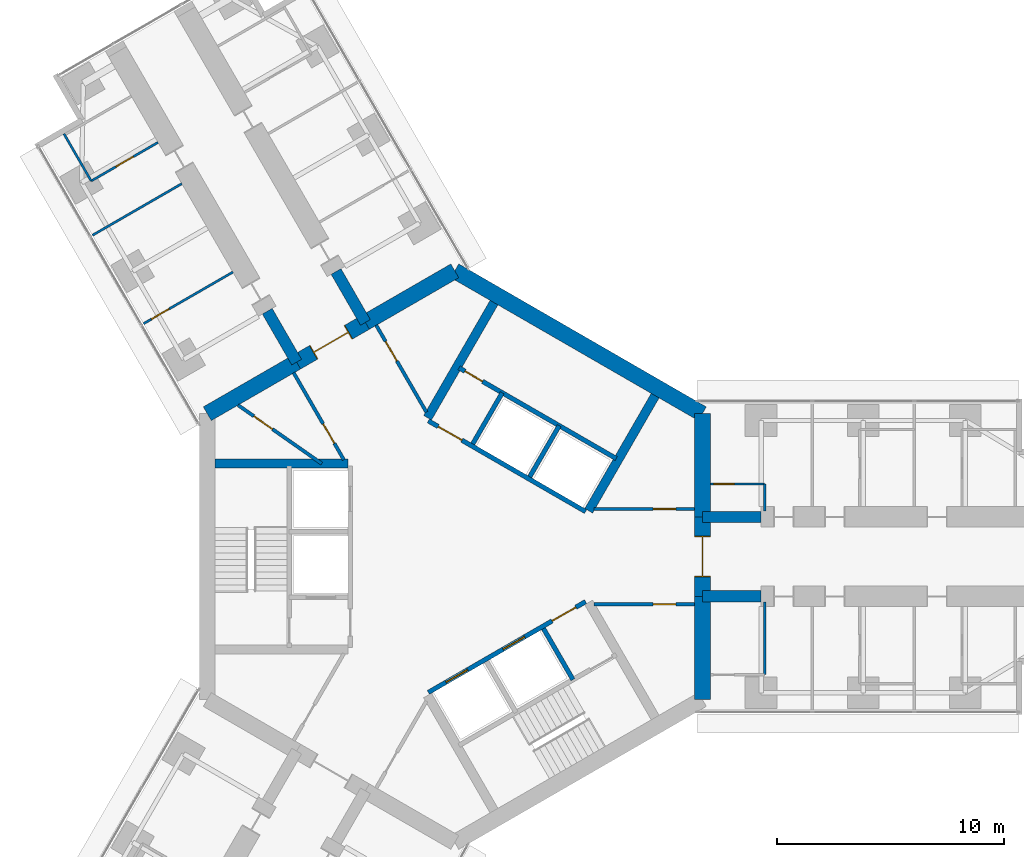
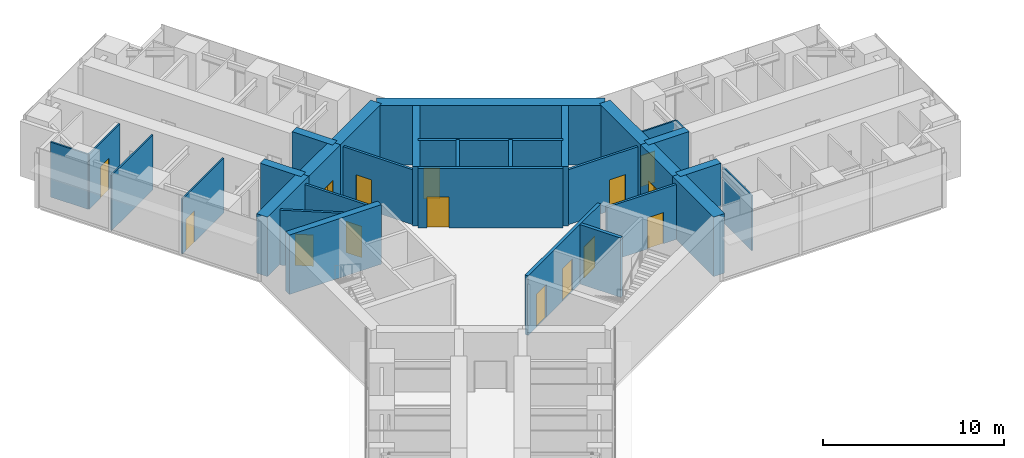
# One storey, part 18 of 25: 32 walls, 15 doors, 15 openings.
"""IFC4 building model written with IfcOpenShell, lengths in metres."""

from ifc_helpers import new_model, si_unit, direction, frame, frame_2d, origin, place, context, subcontext, project, spatial, rectangle, extrude, material, layer, layer_set, type_object, element, fill, save


model = new_model("IFC4")

# Units and contexts
model_context = context("Model", 3, precision=1e-05, world=origin(), true_north=direction((0.0, 1.0)))
body_context = subcontext(model_context, "Body", "Model", "MODEL_VIEW")
ifc_project = project(units=[si_unit("LENGTHUNIT", "METRE"), si_unit("AREAUNIT", "SQUARE_METRE"), si_unit("VOLUMEUNIT", "CUBIC_METRE"), si_unit("PLANEANGLEUNIT", "RADIAN"), si_unit("MASSUNIT", "GRAM", prefix="KILO")], contexts=[model_context])

# Site, building, storey
site_placement = place(None, origin())
site = spatial("IfcSite", under=ifc_project, at=site_placement, CompositionType="ELEMENT")
building_placement = place(site_placement, origin())
building = spatial("IfcBuilding", under=site, at=building_placement, Name="Upepo Twin Towers", CompositionType="ELEMENT")
storey_placement = place(building_placement, frame((0.0, 0.0, 88.5)))
storey = spatial("IfcBuildingStorey", under=building, at=storey_placement, Name="L21", CompositionType="ELEMENT", Elevation=88.5)

# Walls
ifc_material_1 = material(Name="Concrete C60/75", Category="concrete")
ifc_layer_1 = layer(ifc_material_1, 0.5)
ifc_layer_set_1 = layer_set([ifc_layer_1], Name="Concrete C60/75")
wall_type_1 = type_object("IfcWallType", Name="Buttress wall 500 RC", PredefinedType="SHEAR", material=ifc_layer_set_1)
for number, where, z_axis, x_axis, name in (
    (1, (10.908447265625, 1.75, 0.0), (0.0, 0.0, 1.0), (1.0, 0.0, 0.0), "T1 wing A buttress wall L"),
    (2, (10.908447265625, -1.75, 0.0), (0.0, 0.0, 1.0), (1.0, 0.0, 0.0), "T1 wing A buttress wall R"),
):
    element("IfcWall", number, at=place(storey_placement, frame(where, z_axis=z_axis, x_axis=x_axis)), inside=storey, type_object=wall_type_1, Name=name, PredefinedType="SHEAR", context=body_context, shape_type="SweptSolid", body=[
        extrude(rectangle(XDim=2.591552734375, YDim=0.5, at=frame_2d((1.2958984375, 0.0))), origin(), (0.0, 0.0, 1.0), 4.0),
    ])
for number, where, z_axis, x_axis, name in (
    (3, (-6.9697265625, 8.57177734375, 0.0), (0.0, 0.0, 1.0), (-0.499988811324, 0.866031863473, 0.0), "T1 wing B buttress wall L"),
    (4, (-3.938720703125, 10.32177734375, 0.0), (0.0, 0.0, 1.0), (-0.499918158782, 0.866072649678, 0.0), "T1 wing B buttress wall R"),
):
    element("IfcWall", number, at=place(storey_placement, frame(where, z_axis=z_axis, x_axis=x_axis)), inside=storey, type_object=wall_type_1, Name=name, PredefinedType="SHEAR", context=body_context, shape_type="SweptSolid", body=[
        extrude(rectangle(XDim=2.591796875, YDim=0.5, at=frame_2d((1.2958984375, 0.0))), origin(), (0.0, 0.0, 1.0), 4.0),
    ])
ifc_material_2 = material(Name="Concrete C60/75", Category="concrete")
ifc_layer_2 = layer(ifc_material_2, 0.699951171875)
ifc_layer_set_2 = layer_set([ifc_layer_2], Name="Concrete C60/75")
wall_type_2 = type_object("IfcWallType", Name="Core wall 700 RC", PredefinedType="SHEAR", material=ifc_layer_set_2)
wall_1_placement = place(storey_placement, frame((10.908447265625, -6.2978515625, 0.0), z_axis=(0.0, 0.0, 1.0), x_axis=(0.0, 1.0, 0.0)))
element("IfcWall", 5, at=wall_1_placement, inside=storey, type_object=wall_type_2, Name="T1 core wall 000 R", PredefinedType="SHEAR", context=body_context, shape_type="SweptSolid", body=[
    extrude(rectangle(XDim=4.5478515625, YDim=0.699951171875, at=frame_2d((2.27392578125, 0.0))), origin(), (0.0, 0.0, 1.0), 4.0),
])

# Wall, opening, door
wall_2_placement = place(storey_placement, frame((10.908447265625, -1.75, 0.0), z_axis=(0.0, 0.0, 1.0), x_axis=(0.0, 1.0, 0.0)))
wall_2 = element("IfcWall", 6, at=wall_2_placement, inside=storey, type_object=wall_type_2, Name="T1 core wall 000", PredefinedType="SHEAR", context=body_context, shape_type="SweptSolid", body=[
    extrude(rectangle(XDim=3.5, YDim=0.699951171875, at=frame_2d((1.75, 0.0))), origin(), (0.0, 0.0, 1.0), 4.0),
])
opening_1_placement = place(wall_2_placement, frame((0.85009765625, 0.0, 0.0)))
opening_1 = element("IfcOpeningElement", 7, at=opening_1_placement, cuts=wall_2, Name="Opening D2", PredefinedType="OPENING", context=body_context, shape_type="SweptSolid", body=[
    extrude(rectangle(XDim=1.800048828125, YDim=2.10009765625, at=frame_2d((0.89990234375, 1.050048828125))), frame((0.0, 0.35986328125, 0.0), z_axis=(0.0, -1.0, 0.0), x_axis=(1.0, 0.0, 0.0)), (0.0, 0.0, 1.0), 0.719970703125),
])
ifc_material_3 = material(Name="Timber doorset", Category="wood")
door_type_1 = type_object("IfcDoorType", Name="Corridor double door 1800 FD60", OperationType="DOUBLE_DOOR_DOUBLE_SWING", PredefinedType="DOOR", material=ifc_material_3)
door_1_placement = place(opening_1_placement, origin())
door_1 = element("IfcDoor", 8, at=door_1_placement, inside=storey, type_object=door_type_1, Name="T1 L21 wing A corridor door", OperationType="DOUBLE_DOOR_DOUBLE_SWING", OverallHeight=2.10009765625, OverallWidth=1.800048828125, PredefinedType="DOOR", context=body_context, shape_type="SweptSolid", body=[
    extrude(rectangle(XDim=1.720048828125, YDim=2.06009765625, at=frame_2d((0.89990234375, 1.030029296875))), frame((0.0, 0.02490234375, 0.0), z_axis=(0.0, -1.0, 0.0), x_axis=(1.0, 0.0, 0.0)), (0.0, 0.0, 1.0), 0.050048828125),
    extrude(rectangle(XDim=0.04, YDim=2.10009765625, at=frame_2d((0.02001953125, 1.050048828125))), frame((0.0, 0.349609375, 0.0), z_axis=(0.0, -1.0, 0.0), x_axis=(1.0, 0.0, 0.0)), (0.0, 0.0, 1.0), 0.699462890625),
    extrude(rectangle(XDim=0.04, YDim=2.10009765625, at=frame_2d((1.780029296875, 1.050048828125))), frame((0.0, 0.349609375, 0.0), z_axis=(0.0, -1.0, 0.0), x_axis=(1.0, 0.0, 0.0)), (0.0, 0.0, 1.0), 0.699462890625),
    extrude(rectangle(XDim=1.720048828125, YDim=0.04, at=frame_2d((0.89990234375, 2.080078125))), frame((0.0, 0.349609375, 0.0), z_axis=(0.0, -1.0, 0.0), x_axis=(1.0, 0.0, 0.0)), (0.0, 0.0, 1.0), 0.699462890625),
])
fill(opening_1, door_1)

# Walls
wall_3_placement = place(storey_placement, frame((10.908447265625, 1.75, 0.0), z_axis=(0.0, 0.0, 1.0), x_axis=(0.0, 1.0, 0.0)))
element("IfcWall", 9, at=wall_3_placement, inside=storey, type_object=wall_type_2, Name="T1 core wall 000 L", PredefinedType="SHEAR", context=body_context, shape_type="SweptSolid", body=[
    extrude(rectangle(XDim=4.5478515625, YDim=0.699951171875, at=frame_2d((2.27392578125, 0.0))), origin(), (0.0, 0.0, 1.0), 4.0),
])
wall_4_placement = place(storey_placement, frame((10.908447265625, 6.2978515625, 0.0), z_axis=(0.0, 0.0, 1.0), x_axis=(-0.866021940709, 0.500005998175, 0.0)))
element("IfcWall", 10, at=wall_4_placement, inside=storey, type_object=wall_type_2, Name="T1 core wall 060", PredefinedType="SHEAR", context=body_context, shape_type="SweptSolid", body=[
    extrude(rectangle(XDim=12.595947265625, YDim=0.699951171875, at=frame_2d((6.2978515625, 0.0))), origin(), (0.0, 0.0, 1.0), 4.0),
])
wall_5_placement = place(storey_placement, frame((0.0, 12.595947265625, 0.0), z_axis=(0.0, 0.0, 1.0), x_axis=(-0.866011268655, -0.500024481964, 0.0)))
element("IfcWall", 11, at=wall_5_placement, inside=storey, type_object=wall_type_2, Name="T1 core wall 120 R", PredefinedType="SHEAR", context=body_context, shape_type="SweptSolid", body=[
    extrude(rectangle(XDim=4.548095703125, YDim=0.699951171875, at=frame_2d((2.27392578125, 0.0))), origin(), (0.0, 0.0, 1.0), 4.0),
])

# Wall, opening, door
wall_6_placement = place(storey_placement, frame((-3.938720703125, 10.32177734375, 0.0), z_axis=(0.0, 0.0, 1.0), x_axis=(-0.866019471182, -0.500010275428, 0.0)))
wall_6 = element("IfcWall", 12, at=wall_6_placement, inside=storey, type_object=wall_type_2, Name="T1 core wall 120", PredefinedType="SHEAR", context=body_context, shape_type="SweptSolid", body=[
    extrude(rectangle(XDim=3.5, YDim=0.699951171875, at=frame_2d((1.75, 0.0))), origin(), (0.0, 0.0, 1.0), 4.0),
])
opening_2_placement = place(wall_6_placement, frame((0.85009765625, 0.0, 0.0)))
opening_2 = element("IfcOpeningElement", 13, at=opening_2_placement, cuts=wall_6, Name="Opening D2", PredefinedType="OPENING", context=body_context, shape_type="SweptSolid", body=[
    extrude(rectangle(XDim=1.800048828125, YDim=2.10009765625, at=frame_2d((0.89990234375, 1.050048828125))), frame((0.0, 0.35986328125, 0.0), z_axis=(0.0, -1.0, 0.0), x_axis=(1.0, 0.0, 0.0)), (0.0, 0.0, 1.0), 0.719970703125),
])
door_2_placement = place(opening_2_placement, origin())
door_2 = element("IfcDoor", 14, at=door_2_placement, inside=storey, type_object=door_type_1, Name="T1 L21 wing B corridor door", OperationType="DOUBLE_DOOR_DOUBLE_SWING", OverallHeight=2.10009765625, OverallWidth=1.800048828125, PredefinedType="DOOR", context=body_context, shape_type="SweptSolid", body=[
    extrude(rectangle(XDim=1.720048828125, YDim=2.06009765625, at=frame_2d((0.89990234375, 1.030029296875))), frame((0.0, 0.02490234375, 0.0), z_axis=(0.0, -1.0, 0.0), x_axis=(1.0, 0.0, 0.0)), (0.0, 0.0, 1.0), 0.050048828125),
    extrude(rectangle(XDim=0.04, YDim=2.10009765625, at=frame_2d((0.02001953125, 1.050048828125))), frame((0.0, 0.349609375, 0.0), z_axis=(0.0, -1.0, 0.0), x_axis=(1.0, 0.0, 0.0)), (0.0, 0.0, 1.0), 0.699462890625),
    extrude(rectangle(XDim=0.04, YDim=2.10009765625, at=frame_2d((1.780029296875, 1.050048828125))), frame((0.0, 0.349609375, 0.0), z_axis=(0.0, -1.0, 0.0), x_axis=(1.0, 0.0, 0.0)), (0.0, 0.0, 1.0), 0.699462890625),
    extrude(rectangle(XDim=1.720048828125, YDim=0.04, at=frame_2d((0.89990234375, 2.080078125))), frame((0.0, 0.349609375, 0.0), z_axis=(0.0, -1.0, 0.0), x_axis=(1.0, 0.0, 0.0)), (0.0, 0.0, 1.0), 0.699462890625),
])
fill(opening_2, door_2)

# Wall
wall_7_placement = place(storey_placement, frame((-6.9697265625, 8.57177734375, 0.0), z_axis=(0.0, 0.0, 1.0), x_axis=(-0.866034513004, -0.499984222037, 0.0)))
element("IfcWall", 15, at=wall_7_placement, inside=storey, type_object=wall_type_2, Name="T1 core wall 120 L", PredefinedType="SHEAR", context=body_context, shape_type="SweptSolid", body=[
    extrude(rectangle(XDim=4.548095703125, YDim=0.699951171875, at=frame_2d((2.27392578125, 0.0))), origin(), (0.0, 0.0, 1.0), 4.0),
])

# Wall, opening, door
ifc_material_4 = material(Name="Gypsum board on steel studs", Category="steel")
ifc_layer_3 = layer(ifc_material_4, 0.10009765625)
ifc_layer_set_3 = layer_set([ifc_layer_3], Name="Office partition 100 stud")
wall_type_3 = type_object("IfcWallType", Name="Office partition 100 stud", PredefinedType="PARTITIONING", material=ifc_layer_set_3)
wall_8_placement = place(storey_placement, frame((11.258056640625, 3.199951171875, 0.0), z_axis=(0.0, 0.0, 1.0), x_axis=(1.0, 0.0, 0.0)))
wall_8 = element("IfcWall", 16, at=wall_8_placement, inside=storey, type_object=wall_type_3, Name="T1 WC bay partition AL at 11.26", PredefinedType="PARTITIONING", context=body_context, shape_type="SweptSolid", body=[
    extrude(rectangle(XDim=2.39990234375, YDim=0.10009765625, at=frame_2d((1.199951171875, 0.0))), origin(), (0.0, 0.0, 1.0), 3.699951171875),
])
opening_3_placement = place(wall_8_placement, frame((0.14990234375, 0.0, 0.0)))
opening_3 = element("IfcOpeningElement", 17, at=opening_3_placement, cuts=wall_8, Name="Opening D14", PredefinedType="OPENING", context=body_context, shape_type="SweptSolid", body=[
    extrude(rectangle(XDim=0.89990234375, YDim=2.10009765625, at=frame_2d((0.449951171875, 1.050048828125))), frame((0.0, 0.06005859375, 0.0), z_axis=(0.0, -1.0, 0.0), x_axis=(1.0, 0.0, 0.0)), (0.0, 0.0, 1.0), 0.1201171875),
])
ifc_material_5 = material(Name="Timber doorset", Category="wood")
door_type_2 = type_object("IfcDoorType", Name="Office door 900 FD30", OperationType="SINGLE_SWING_LEFT", PredefinedType="DOOR", material=ifc_material_5)
door_3_placement = place(opening_3_placement, origin())
door_3 = element("IfcDoor", 18, at=door_3_placement, inside=storey, type_object=door_type_2, Name="T1 L21 WC bay inner room door", OperationType="SINGLE_SWING_LEFT", OverallHeight=2.10009765625, OverallWidth=0.89990234375, PredefinedType="DOOR", context=body_context, shape_type="SweptSolid", body=[
    extrude(rectangle(XDim=0.89990234375, YDim=2.10009765625, at=frame_2d((0.449951171875, 1.050048828125))), frame((0.0, 0.02490234375, 0.0), z_axis=(0.0, -1.0, 0.0), x_axis=(1.0, 0.0, 0.0)), (0.0, 0.0, 1.0), 0.050048828125),
])
fill(opening_3, door_3)

# Walls
wall_9_placement = place(storey_placement, frame((13.657958984375, 2.0, 0.0), z_axis=(0.0, 0.0, 1.0), x_axis=(0.0, 1.0, 0.0)))
element("IfcWall", 19, at=wall_9_placement, inside=storey, type_object=wall_type_3, Name="T1 WC bay partition AL end at 13.66", PredefinedType="PARTITIONING", context=body_context, shape_type="SweptSolid", body=[
    extrude(rectangle(XDim=1.199951171875, YDim=0.10009765625, at=frame_2d((0.60009765625, 0.0))), origin(), (0.0, 0.0, 1.0), 3.699951171875),
])
wall_10_placement = place(storey_placement, frame((13.657958984375, -2.0, 0.0), z_axis=(0.0, 0.0, 1.0), x_axis=(0.0, -1.0, 0.0)))
element("IfcWall", 20, at=wall_10_placement, inside=storey, type_object=wall_type_3, Name="T1 WC bay partition AR end at 13.66", PredefinedType="PARTITIONING", context=body_context, shape_type="SweptSolid", body=[
    extrude(rectangle(XDim=3.199951171875, YDim=0.10009765625, at=frame_2d((1.60009765625, 0.0))), origin(), (0.0, 0.0, 1.0), 3.699951171875),
])

# Wall, opening, door
wall_11_placement = place(storey_placement, frame((-9.7802734375, 12.539794921875, 0.0), z_axis=(0.0, 0.0, 1.0), x_axis=(-0.866035472144, -0.499982560684, 0.0)))
wall_11 = element("IfcWall", 21, at=wall_11_placement, inside=storey, type_object=wall_type_3, Name="T1 partition BL at 15.75", PredefinedType="PARTITIONING", context=body_context, shape_type="SweptSolid", body=[
    extrude(rectangle(XDim=4.550048828125, YDim=0.10009765625, at=frame_2d((2.27490234375, 0.0))), origin(), (0.0, 0.0, 1.0), 3.699951171875),
])
opening_4_placement = place(wall_11_placement, frame((3.25, 0.0, 0.0)))
opening_4 = element("IfcOpeningElement", 22, at=opening_4_placement, cuts=wall_11, Name="Opening D14", PredefinedType="OPENING", context=body_context, shape_type="SweptSolid", body=[
    extrude(rectangle(XDim=0.89990234375, YDim=2.10009765625, at=frame_2d((0.449951171875, 1.050048828125))), frame((0.0, 0.06005859375, 0.0), z_axis=(0.0, -1.0, 0.0), x_axis=(1.0, 0.0, 0.0)), (0.0, 0.0, 1.0), 0.1201171875),
])
door_4_placement = place(opening_4_placement, origin())
door_4 = element("IfcDoor", 23, at=door_4_placement, inside=storey, type_object=door_type_2, Name="T1 L21 connecting door", OperationType="SINGLE_SWING_RIGHT", OverallHeight=2.10009765625, OverallWidth=0.89990234375, PredefinedType="DOOR", context=body_context, shape_type="SweptSolid", body=[
    extrude(rectangle(XDim=0.89990234375, YDim=2.10009765625, at=frame_2d((0.449951171875, 1.050048828125))), frame((0.0, 0.02490234375, 0.0), z_axis=(0.0, -1.0, 0.0), x_axis=(1.0, 0.0, 0.0)), (0.0, 0.0, 1.0), 0.050048828125),
])
fill(opening_4, door_4)

# Walls
wall_12_placement = place(storey_placement, frame((-12.0302734375, 16.43701171875, 0.0), z_axis=(0.0, 0.0, 1.0), x_axis=(-0.866035472144, -0.499982560684, 0.0)))
element("IfcWall", 24, at=wall_12_placement, inside=storey, type_object=wall_type_3, Name="T1 partition BL at 20.25", PredefinedType="PARTITIONING", context=body_context, shape_type="SweptSolid", body=[
    extrude(rectangle(XDim=4.550048828125, YDim=0.10009765625, at=frame_2d((2.27490234375, 0.0))), origin(), (0.0, 0.0, 1.0), 3.699951171875),
])
wall_13_placement = place(storey_placement, frame((-16.024658203125, 16.5556640625, 0.0), z_axis=(0.0, 0.0, 1.0), x_axis=(-0.500077600433, 0.865980596518, 0.0)))
element("IfcWall", 25, at=wall_13_placement, inside=storey, type_object=wall_type_3, Name="T1 inner room partition BL at 22.35", PredefinedType="PARTITIONING", context=body_context, shape_type="SweptSolid", body=[
    extrude(rectangle(XDim=2.39990234375, YDim=0.10009765625, at=frame_2d((1.199951171875, 0.0))), origin(), (0.0, 0.0, 1.0), 3.699951171875),
])

# Wall, opening, door
wall_14_placement = place(storey_placement, frame((-13.080322265625, 18.255615234375, 0.0), z_axis=(0.0, 0.0, 1.0), x_axis=(-0.866020560687, -0.500008388397, 0.0)))
wall_14 = element("IfcWall", 26, at=wall_14_placement, inside=storey, type_object=wall_type_3, Name="T1 inner room partition BL end at 22.35", PredefinedType="PARTITIONING", context=body_context, shape_type="SweptSolid", body=[
    extrude(rectangle(XDim=3.39990234375, YDim=0.10009765625, at=frame_2d((1.699951171875, 0.0))), origin(), (0.0, 0.0, 1.0), 3.699951171875),
])
opening_5_placement = place(wall_14_placement, frame((1.25, 0.0, 0.0)))
opening_5 = element("IfcOpeningElement", 27, at=opening_5_placement, cuts=wall_14, Name="Opening D14", PredefinedType="OPENING", context=body_context, shape_type="SweptSolid", body=[
    extrude(rectangle(XDim=0.89990234375, YDim=2.10009765625, at=frame_2d((0.449951171875, 1.050048828125))), frame((0.0, 0.06005859375, 0.0), z_axis=(0.0, -1.0, 0.0), x_axis=(1.0, 0.0, 0.0)), (0.0, 0.0, 1.0), 0.1201171875),
])
door_5_placement = place(opening_5_placement, origin())
door_5 = element("IfcDoor", 28, at=door_5_placement, inside=storey, type_object=door_type_2, Name="T1 L21 inner room door", OperationType="SINGLE_SWING_LEFT", OverallHeight=2.10009765625, OverallWidth=0.89990234375, PredefinedType="DOOR", context=body_context, shape_type="SweptSolid", body=[
    extrude(rectangle(XDim=0.89990234375, YDim=2.10009765625, at=frame_2d((0.449951171875, 1.050048828125))), frame((0.0, 0.02490234375, 0.0), z_axis=(0.0, -1.0, 0.0), x_axis=(1.0, 0.0, 0.0)), (0.0, 0.0, 1.0), 0.050048828125),
])
fill(opening_5, door_5)

ifc_material_6 = material(Name="Concrete C40/50", Category="concrete")
ifc_layer_4 = layer(ifc_material_6, 0.199951171875)
ifc_layer_set_4 = layer_set([ifc_layer_4], Name="Concrete C40/50")
wall_type_4 = type_object("IfcWallType", Name="Shaft wall 200 RC", PredefinedType="SHEAR", material=ifc_layer_set_4)
wall_15_placement = place(storey_placement, frame((5.76416015625, 1.983642578125, 0.0), z_axis=(0.0, 0.0, 1.0), x_axis=(-0.866026010844, 0.49999894854, 0.0)))
wall_15 = element("IfcWall", 29, at=wall_15_placement, inside=storey, type_object=wall_type_4, Name="T1 core W60 front wall", PredefinedType="SHEAR", context=body_context, shape_type="SweptSolid", body=[
    extrude(rectangle(XDim=8.0, YDim=0.199951171875, at=frame_2d((4.0, 0.0))), origin(), (0.0, 0.0, 1.0), 4.0),
])
opening_6_placement = place(wall_15_placement, frame((6.300048828125, 0.0, 0.0)))
opening_6 = element("IfcOpeningElement", 30, at=opening_6_placement, cuts=wall_15, Name="Opening D4", PredefinedType="OPENING", context=body_context, shape_type="SweptSolid", body=[
    extrude(rectangle(XDim=1.199951171875, YDim=2.10009765625, at=frame_2d((0.60009765625, 1.050048828125))), frame((0.0, 0.10986328125, 0.0), z_axis=(0.0, -1.0, 0.0), x_axis=(1.0, 0.0, 0.0)), (0.0, 0.0, 1.0), 0.219970703125),
])
ifc_material_7 = material(Name="Timber doorset", Category="wood")
door_type_3 = type_object("IfcDoorType", Name="Lobby door 1200 FD60", OperationType="SINGLE_SWING_LEFT", PredefinedType="DOOR", material=ifc_material_7)
door_6_placement = place(opening_6_placement, origin())
door_6 = element("IfcDoor", 31, at=door_6_placement, inside=storey, type_object=door_type_3, Name="T1 L21 W60 lobby door", OperationType="SINGLE_SWING_RIGHT", OverallHeight=2.10009765625, OverallWidth=1.199951171875, PredefinedType="DOOR", context=body_context, shape_type="SweptSolid", body=[
    extrude(rectangle(XDim=1.199951171875, YDim=2.10009765625, at=frame_2d((0.60009765625, 1.050048828125))), frame((0.0, 0.02490234375, 0.0), z_axis=(0.0, -1.0, 0.0), x_axis=(1.0, 0.0, 0.0)), (0.0, 0.0, 1.0), 0.050048828125),
])
fill(opening_6, door_6)

# Walls
for number, where, z_axis, x_axis, name in (
    (32, (3.302734375, 3.520263671875, 0.0), (0.0, 0.0, 1.0), (0.499936506574, 0.866062058628, 0.0), "T1 core W60 shaft divider"),
    (33, (0.791259765625, 4.97021484375, 0.0), (0.0, 0.0, 1.0), (0.499936506574, 0.866062058628, 0.0), "T1 core W60 lobby wall"),
):
    element("IfcWall", number, at=place(storey_placement, frame(where, z_axis=z_axis, x_axis=x_axis)), inside=storey, type_object=wall_type_4, Name=name, PredefinedType="SHEAR", context=body_context, shape_type="SweptSolid", body=[
        extrude(rectangle(XDim=2.599853515625, YDim=0.199951171875, at=frame_2d((1.2998046875, 0.0))), origin(), (0.0, 0.0, 1.0), 4.0),
    ])

# Wall, opening, door
wall_16_placement = place(storey_placement, frame((7.114013671875, 4.322021484375, 0.0), z_axis=(0.0, 0.0, 1.0), x_axis=(-0.866026010844, 0.49999894854, 0.0)))
wall_16 = element("IfcWall", 34, at=wall_16_placement, inside=storey, type_object=wall_type_4, Name="T1 core W60 stair wall", PredefinedType="SHEAR", context=body_context, shape_type="SweptSolid", body=[
    extrude(rectangle(XDim=8.0, YDim=0.199951171875, at=frame_2d((4.0, 0.0))), origin(), (0.0, 0.0, 1.0), 4.0),
])
opening_7_placement = place(wall_16_placement, frame((6.800048828125, 0.0, 0.0)))
opening_7 = element("IfcOpeningElement", 35, at=opening_7_placement, cuts=wall_16, Name="Opening D9", PredefinedType="OPENING", context=body_context, shape_type="SweptSolid", body=[
    extrude(rectangle(XDim=0.89990234375, YDim=2.10009765625, at=frame_2d((0.449951171875, 1.050048828125))), frame((0.0, 0.10986328125, 0.0), z_axis=(0.0, -1.0, 0.0), x_axis=(1.0, 0.0, 0.0)), (0.0, 0.0, 1.0), 0.219970703125),
])
ifc_material_8 = material(Name="Timber doorset", Category="wood")
door_type_4 = type_object("IfcDoorType", Name="Riser door 900 FD60", OperationType="SINGLE_SWING_LEFT", PredefinedType="DOOR", material=ifc_material_8)
door_7_placement = place(opening_7_placement, origin())
door_7 = element("IfcDoor", 36, at=door_7_placement, inside=storey, type_object=door_type_4, Name="T1 L21 riser door", OperationType="SINGLE_SWING_RIGHT", OverallHeight=2.10009765625, OverallWidth=0.89990234375, PredefinedType="DOOR", context=body_context, shape_type="SweptSolid", body=[
    extrude(rectangle(XDim=0.89990234375, YDim=2.10009765625, at=frame_2d((0.449951171875, 1.050048828125))), frame((0.0, 0.02490234375, 0.0), z_axis=(0.0, -1.0, 0.0), x_axis=(1.0, 0.0, 0.0)), (0.0, 0.0, 1.0), 0.050048828125),
])
fill(opening_7, door_7)

# Wall, openings, doors
wall_17_placement = place(storey_placement, frame((-1.1640625, -5.983642578125, 0.0), z_axis=(0.0, 0.0, 1.0), x_axis=(0.866026010844, 0.49999894854, 0.0)))
wall_17 = element("IfcWall", 37, at=wall_17_placement, inside=storey, type_object=wall_type_4, Name="T1 core W300 front wall", PredefinedType="SHEAR", context=body_context, shape_type="SweptSolid", body=[
    extrude(rectangle(XDim=8.0, YDim=0.199951171875, at=frame_2d((4.0, 0.0))), origin(), (0.0, 0.0, 1.0), 4.0),
])
opening_8_placement = place(wall_17_placement, frame((6.300048828125, 0.0, 0.0)))
opening_8 = element("IfcOpeningElement", 38, at=opening_8_placement, cuts=wall_17, Name="Opening D4", PredefinedType="OPENING", context=body_context, shape_type="SweptSolid", body=[
    extrude(rectangle(XDim=1.199951171875, YDim=2.10009765625, at=frame_2d((0.60009765625, 1.050048828125))), frame((0.0, 0.10986328125, 0.0), z_axis=(0.0, -1.0, 0.0), x_axis=(1.0, 0.0, 0.0)), (0.0, 0.0, 1.0), 0.219970703125),
])
opening_9_placement = place(wall_17_placement, frame((0.89990234375, 0.0, 0.0)))
opening_9 = element("IfcOpeningElement", 39, at=opening_9_placement, cuts=wall_17, Name="Opening LD1", PredefinedType="OPENING", context=body_context, shape_type="SweptSolid", body=[
    extrude(rectangle(XDim=1.10009765625, YDim=2.199951171875, at=frame_2d((0.550048828125, 1.10009765625))), frame((0.0, 0.10986328125, 0.0), z_axis=(0.0, -1.0, 0.0), x_axis=(1.0, 0.0, 0.0)), (0.0, 0.0, 1.0), 0.219970703125),
])
opening_10_placement = place(wall_17_placement, frame((3.800048828125, 0.0, 0.0)))
opening_10 = element("IfcOpeningElement", 40, at=opening_10_placement, cuts=wall_17, Name="Opening LD1", PredefinedType="OPENING", context=body_context, shape_type="SweptSolid", body=[
    extrude(rectangle(XDim=1.10009765625, YDim=2.199951171875, at=frame_2d((0.550048828125, 1.10009765625))), frame((0.0, 0.10986328125, 0.0), z_axis=(0.0, -1.0, 0.0), x_axis=(1.0, 0.0, 0.0)), (0.0, 0.0, 1.0), 0.219970703125),
])
ifc_material_9 = material(Name="Steel doorset", Category="steel")
door_type_5 = type_object("IfcDoorType", Name="Lift landing door 1100", OperationType="DOUBLE_DOOR_SLIDING", PredefinedType="DOOR", material=ifc_material_9)
door_8_placement = place(opening_9_placement, origin())
door_8 = element("IfcDoor", 41, at=door_8_placement, inside=storey, type_object=door_type_5, Name="T1 L21 lift LL1 landing door", OperationType="DOUBLE_DOOR_SLIDING", OverallHeight=2.199951171875, OverallWidth=1.10009765625, PredefinedType="DOOR", context=body_context, shape_type="SweptSolid", body=[
    extrude(rectangle(XDim=1.10009765625, YDim=2.199951171875, at=frame_2d((0.550048828125, 1.10009765625))), frame((0.0, 0.02490234375, 0.0), z_axis=(0.0, -1.0, 0.0), x_axis=(1.0, 0.0, 0.0)), (0.0, 0.0, 1.0), 0.050048828125),
])
fill(opening_9, door_8)
door_9_placement = place(opening_10_placement, origin())
door_9 = element("IfcDoor", 42, at=door_9_placement, inside=storey, type_object=door_type_5, Name="T1 L21 lift LL2 landing door", OperationType="DOUBLE_DOOR_SLIDING", OverallHeight=2.199951171875, OverallWidth=1.10009765625, PredefinedType="DOOR", context=body_context, shape_type="SweptSolid", body=[
    extrude(rectangle(XDim=1.10009765625, YDim=2.199951171875, at=frame_2d((0.550048828125, 1.10009765625))), frame((0.0, 0.02490234375, 0.0), z_axis=(0.0, -1.0, 0.0), x_axis=(1.0, 0.0, 0.0)), (0.0, 0.0, 1.0), 0.050048828125),
])
fill(opening_10, door_9)
door_10_placement = place(opening_8_placement, origin())
door_10 = element("IfcDoor", 43, at=door_10_placement, inside=storey, type_object=door_type_3, Name="T1 L21 W300 lobby door", OperationType="SINGLE_SWING_RIGHT", OverallHeight=2.10009765625, OverallWidth=1.199951171875, PredefinedType="DOOR", context=body_context, shape_type="SweptSolid", body=[
    extrude(rectangle(XDim=1.199951171875, YDim=2.10009765625, at=frame_2d((0.60009765625, 1.050048828125))), frame((0.0, 0.02490234375, 0.0), z_axis=(0.0, -1.0, 0.0), x_axis=(1.0, 0.0, 0.0)), (0.0, 0.0, 1.0), 0.050048828125),
])
fill(opening_8, door_10)

# Walls
wall_18_placement = place(storey_placement, frame((3.908935546875, -3.17041015625, 0.0), z_axis=(0.0, 0.0, 1.0), x_axis=(0.49997716683, -0.86603858612, 0.0)))
element("IfcWall", 44, at=wall_18_placement, inside=storey, type_object=wall_type_4, Name="T1 core W300 lobby wall", PredefinedType="SHEAR", context=body_context, shape_type="SweptSolid", body=[
    extrude(rectangle(XDim=2.599609375, YDim=0.199951171875, at=frame_2d((1.2998046875, 0.0))), origin(), (0.0, 0.0, 1.0), 4.0),
])
ifc_material_10 = material(Name="Concrete C40/50", Category="concrete")
ifc_layer_5 = layer(ifc_material_10, 0.39990234375)
ifc_layer_set_5 = layer_set([ifc_layer_5], Name="Concrete C40/50")
wall_type_5 = type_object("IfcWallType", Name="Shaft wall 400 RC", PredefinedType="SHEAR", material=ifc_layer_set_5)
for number, where, z_axis, x_axis, name in (
    (45, (-1.20068359375, 6.120361328125, 0.0), (0.0, 0.0, 1.0), (0.500002627198, 0.866023886965, 0.0), "T1 core W60 side wall N"),
    (46, (5.900634765625, 2.020263671875, 0.0), (0.0, 0.0, 1.0), (0.500002627198, 0.866023886965, 0.0), "T1 core W60 side wall S"),
    (47, (-4.699951171875, 4.10009765625, 0.0), (0.0, 0.0, 1.0), (-1.0, 0.0, 0.0), "T1 core W180 side wall S"),
):
    element("IfcWall", number, at=place(storey_placement, frame(where, z_axis=z_axis, x_axis=x_axis)), inside=storey, type_object=wall_type_5, Name=name, PredefinedType="SHEAR", context=body_context, shape_type="SweptSolid", body=[
        extrude(rectangle(XDim=5.8583984375, YDim=0.39990234375, at=frame_2d((2.92919921875, 0.0))), origin(), (0.0, 0.0, 1.0), 4.0),
    ])

# Wall, opening, door
ifc_material_11 = material(Name="Gypsum board on steel studs", Category="steel")
ifc_layer_6 = layer(ifc_material_11, 0.14990234375)
ifc_layer_set_6 = layer_set([ifc_layer_6], Name="Teaching partition 150 acoustic")
wall_type_6 = type_object("IfcWallType", Name="Teaching partition 150 acoustic", PredefinedType="PARTITIONING", material=ifc_layer_set_6)
wall_19_placement = place(storey_placement, frame((-4.889892578125, 4.269775390625, 0.0), z_axis=(0.0, 0.0, 1.0), x_axis=(-0.500007369519, 0.866021148949, 0.0)))
wall_19 = element("IfcWall", 48, at=wall_19_placement, inside=storey, type_object=wall_type_6, Name="T1 core room partition 3", PredefinedType="PARTITIONING", context=body_context, shape_type="SweptSolid", body=[
    extrude(rectangle(XDim=4.42578125, YDim=0.14990234375, at=frame_2d((2.212890625, 0.0))), origin(), (0.0, 0.0, 1.0), 3.699951171875),
])
opening_11_placement = place(wall_19_placement, frame((0.82763671875, 0.0, 0.0)))
opening_11 = element("IfcOpeningElement", 49, at=opening_11_placement, cuts=wall_19, Name="Opening D1", PredefinedType="OPENING", context=body_context, shape_type="SweptSolid", body=[
    extrude(rectangle(XDim=1.0, YDim=2.10009765625, at=frame_2d((0.5, 1.050048828125))), frame((0.0, 0.0849609375, 0.0), z_axis=(0.0, -1.0, 0.0), x_axis=(1.0, 0.0, 0.0)), (0.0, 0.0, 1.0), 0.169921875),
])
ifc_material_12 = material(Name="Timber doorset", Category="wood")
door_type_6 = type_object("IfcDoorType", Name="Room door 1000 FD30", OperationType="SINGLE_SWING_LEFT", PredefinedType="DOOR", material=ifc_material_12)
door_11_placement = place(opening_11_placement, origin())
door_11 = element("IfcDoor", 50, at=door_11_placement, inside=storey, type_object=door_type_6, Name="T1 L21 core room door K7", OperationType="SINGLE_SWING_LEFT", OverallHeight=2.10009765625, OverallWidth=1.0, PredefinedType="DOOR", context=body_context, shape_type="SweptSolid", body=[
    extrude(rectangle(XDim=1.0, YDim=2.10009765625, at=frame_2d((0.5, 1.050048828125))), frame((0.0, 0.02490234375, 0.0), z_axis=(0.0, -1.0, 0.0), x_axis=(1.0, 0.0, 0.0)), (0.0, 0.0, 1.0), 0.050048828125),
])
fill(opening_11, door_11)

wall_20_placement = place(storey_placement, frame((-3.465576171875, 10.202392578125, 0.0), z_axis=(0.0, 0.0, 1.0), x_axis=(0.500007369519, -0.866021148949, 0.0)))
wall_20 = element("IfcWall", 51, at=wall_20_placement, inside=storey, type_object=wall_type_6, Name="T1 core room partition 4", PredefinedType="PARTITIONING", context=body_context, shape_type="SweptSolid", body=[
    extrude(rectangle(XDim=4.42578125, YDim=0.14990234375, at=frame_2d((2.212890625, 0.0))), origin(), (0.0, 0.0, 1.0), 3.699951171875),
])
opening_12_placement = place(wall_20_placement, frame((0.82763671875, 0.0, 0.0)))
opening_12 = element("IfcOpeningElement", 52, at=opening_12_placement, cuts=wall_20, Name="Opening D1", PredefinedType="OPENING", context=body_context, shape_type="SweptSolid", body=[
    extrude(rectangle(XDim=1.0, YDim=2.10009765625, at=frame_2d((0.5, 1.050048828125))), frame((0.0, 0.0849609375, 0.0), z_axis=(0.0, -1.0, 0.0), x_axis=(1.0, 0.0, 0.0)), (0.0, 0.0, 1.0), 0.169921875),
])
door_12_placement = place(opening_12_placement, origin())
door_12 = element("IfcDoor", 53, at=door_12_placement, inside=storey, type_object=door_type_6, Name="T1 L21 core room door K5", OperationType="SINGLE_SWING_LEFT", OverallHeight=2.10009765625, OverallWidth=1.0, PredefinedType="DOOR", context=body_context, shape_type="SweptSolid", body=[
    extrude(rectangle(XDim=1.0, YDim=2.10009765625, at=frame_2d((0.5, 1.050048828125))), frame((0.0, 0.02490234375, 0.0), z_axis=(0.0, -1.0, 0.0), x_axis=(1.0, 0.0, 0.0)), (0.0, 0.0, 1.0), 0.050048828125),
])
fill(opening_12, door_12)

wall_21_placement = place(storey_placement, frame((6.142578125, 2.10009765625, 0.0), z_axis=(0.0, 0.0, 1.0), x_axis=(1.0, 0.0, 0.0)))
wall_21 = element("IfcWall", 54, at=wall_21_placement, inside=storey, type_object=wall_type_6, Name="T1 core room partition 5", PredefinedType="PARTITIONING", context=body_context, shape_type="SweptSolid", body=[
    extrude(rectangle(XDim=4.42578125, YDim=0.14990234375, at=frame_2d((2.212890625, 0.0))), origin(), (0.0, 0.0, 1.0), 3.699951171875),
])
opening_13_placement = place(wall_21_placement, frame((2.597900390625, 0.0, 0.0)))
opening_13 = element("IfcOpeningElement", 55, at=opening_13_placement, cuts=wall_21, Name="Opening D1", PredefinedType="OPENING", context=body_context, shape_type="SweptSolid", body=[
    extrude(rectangle(XDim=1.0, YDim=2.10009765625, at=frame_2d((0.5, 1.050048828125))), frame((0.0, 0.0849609375, 0.0), z_axis=(0.0, -1.0, 0.0), x_axis=(1.0, 0.0, 0.0)), (0.0, 0.0, 1.0), 0.169921875),
])
door_13_placement = place(opening_13_placement, origin())
door_13 = element("IfcDoor", 56, at=door_13_placement, inside=storey, type_object=door_type_6, Name="T1 L21 core room door K4", OperationType="SINGLE_SWING_RIGHT", OverallHeight=2.10009765625, OverallWidth=1.0, PredefinedType="DOOR", context=body_context, shape_type="SweptSolid", body=[
    extrude(rectangle(XDim=1.0, YDim=2.10009765625, at=frame_2d((0.5, 1.050048828125))), frame((0.0, 0.02490234375, 0.0), z_axis=(0.0, -1.0, 0.0), x_axis=(1.0, 0.0, 0.0)), (0.0, 0.0, 1.0), 0.050048828125),
])
fill(opening_13, door_13)

wall_22_placement = place(storey_placement, frame((10.568359375, -2.10009765625, 0.0), z_axis=(0.0, 0.0, 1.0), x_axis=(-1.0, 0.0, 0.0)))
wall_22 = element("IfcWall", 57, at=wall_22_placement, inside=storey, type_object=wall_type_6, Name="T1 core room partition 6", PredefinedType="PARTITIONING", context=body_context, shape_type="SweptSolid", body=[
    extrude(rectangle(XDim=4.42578125, YDim=0.14990234375, at=frame_2d((2.212890625, 0.0))), origin(), (0.0, 0.0, 1.0), 3.699951171875),
])
opening_14_placement = place(wall_22_placement, frame((0.82763671875, 0.0, 0.0)))
opening_14 = element("IfcOpeningElement", 58, at=opening_14_placement, cuts=wall_22, Name="Opening D1", PredefinedType="OPENING", context=body_context, shape_type="SweptSolid", body=[
    extrude(rectangle(XDim=1.0, YDim=2.10009765625, at=frame_2d((0.5, 1.050048828125))), frame((0.0, 0.0849609375, 0.0), z_axis=(0.0, -1.0, 0.0), x_axis=(1.0, 0.0, 0.0)), (0.0, 0.0, 1.0), 0.169921875),
])
door_14_placement = place(opening_14_placement, origin())
door_14 = element("IfcDoor", 59, at=door_14_placement, inside=storey, type_object=door_type_6, Name="T1 L21 core room door K3", OperationType="SINGLE_SWING_LEFT", OverallHeight=2.10009765625, OverallWidth=1.0, PredefinedType="DOOR", context=body_context, shape_type="SweptSolid", body=[
    extrude(rectangle(XDim=1.0, YDim=2.10009765625, at=frame_2d((0.5, 1.050048828125))), frame((0.0, 0.02490234375, 0.0), z_axis=(0.0, -1.0, 0.0), x_axis=(1.0, 0.0, 0.0)), (0.0, 0.0, 1.0), 0.050048828125),
])
fill(opening_14, door_14)

wall_23_placement = place(storey_placement, frame((-5.865478515625, 4.10009765625, 0.0), z_axis=(0.0, 0.0, 1.0), x_axis=(-0.819614241928, 0.572915783016, 0.0)))
wall_23 = element("IfcWall", 60, at=wall_23_placement, inside=storey, type_object=wall_type_6, Name="T1 core room partition 7", PredefinedType="PARTITIONING", context=body_context, shape_type="SweptSolid", body=[
    extrude(rectangle(XDim=4.497802734375, YDim=0.14990234375, at=frame_2d((2.2490234375, 0.0))), origin(), (0.0, 0.0, 1.0), 3.699951171875),
])
opening_15_placement = place(wall_23_placement, frame((2.6484375, 0.0, 0.0)))
opening_15 = element("IfcOpeningElement", 61, at=opening_15_placement, cuts=wall_23, Name="Opening D1", PredefinedType="OPENING", context=body_context, shape_type="SweptSolid", body=[
    extrude(rectangle(XDim=1.0, YDim=2.10009765625, at=frame_2d((0.5, 1.050048828125))), frame((0.0, 0.0849609375, 0.0), z_axis=(0.0, -1.0, 0.0), x_axis=(1.0, 0.0, 0.0)), (0.0, 0.0, 1.0), 0.169921875),
])
door_15_placement = place(opening_15_placement, origin())
door_15 = element("IfcDoor", 62, at=door_15_placement, inside=storey, type_object=door_type_6, Name="T1 L21 core room door K6", OperationType="SINGLE_SWING_RIGHT", OverallHeight=2.10009765625, OverallWidth=1.0, PredefinedType="DOOR", context=body_context, shape_type="SweptSolid", body=[
    extrude(rectangle(XDim=1.0, YDim=2.10009765625, at=frame_2d((0.5, 1.050048828125))), frame((0.0, 0.02490234375, 0.0), z_axis=(0.0, -1.0, 0.0), x_axis=(1.0, 0.0, 0.0)), (0.0, 0.0, 1.0), 0.050048828125),
])
fill(opening_15, door_15)

save(model, "model.ifc")
